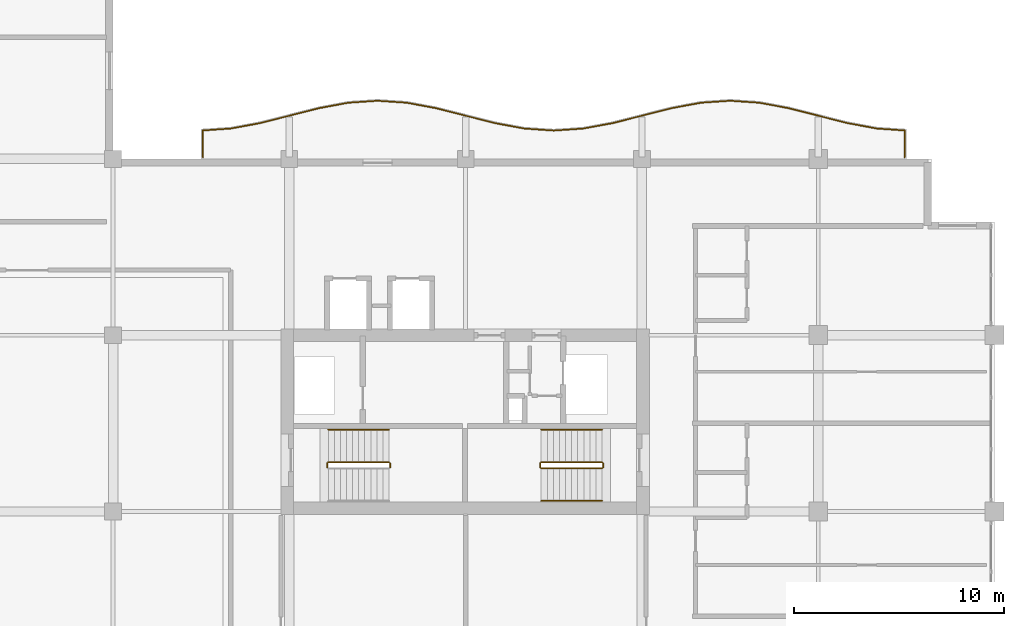
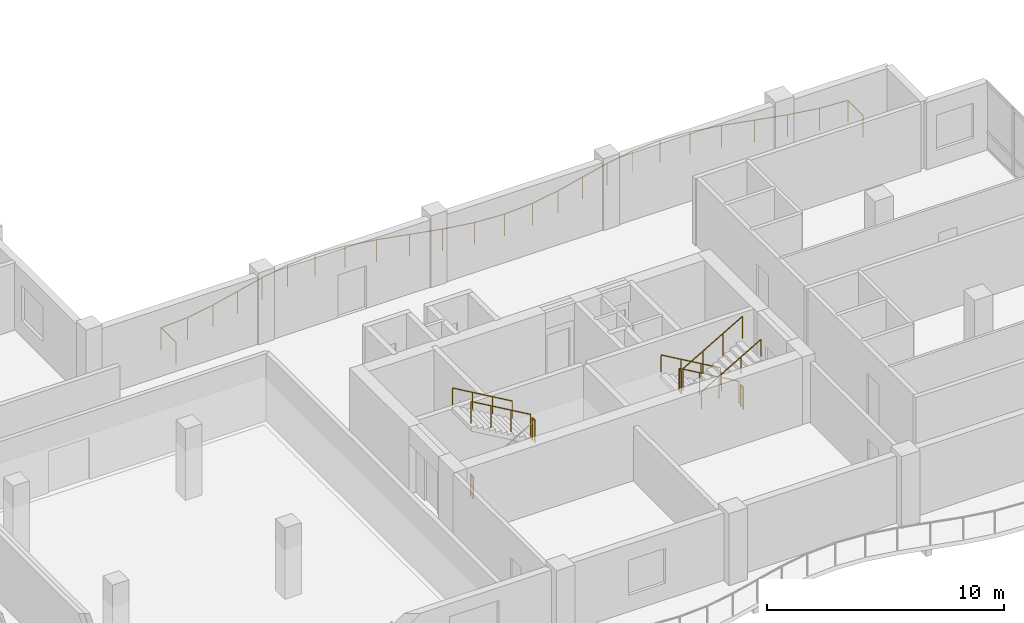
# One storey, part 14 of 16: 11 railings.
"""IFC4 building model written with IfcOpenShell, lengths in metres."""

from ifc_helpers import new_model, si_unit, direction, frame, origin, origin_2d, place, context, subcontext, project, spatial, circle, extrude, material, type_object, element, save


model = new_model("IFC4")

# Units and contexts
model_context = context("Model", 3, precision=1e-05, world=origin(), true_north=direction((0.0, 1.0)))
body_context = subcontext(model_context, "Body", "Model", "MODEL_VIEW")
ifc_project = project(units=[si_unit("LENGTHUNIT", "METRE"), si_unit("AREAUNIT", "SQUARE_METRE"), si_unit("VOLUMEUNIT", "CUBIC_METRE"), si_unit("PLANEANGLEUNIT", "RADIAN"), si_unit("MASSUNIT", "GRAM", prefix="KILO")], contexts=[model_context])

# Site, building, storey
site_placement = place(None, origin())
site = spatial("IfcSite", under=ifc_project, at=site_placement, CompositionType="ELEMENT")
building_placement = place(site_placement, origin())
building = spatial("IfcBuilding", under=site, at=building_placement, Name="Koriwani Terraces Tower", CompositionType="ELEMENT")
storey_placement = place(building_placement, frame((0.0, 0.0, 274.89990234375)))
storey = spatial("IfcBuildingStorey", under=building, at=storey_placement, Name="L68", CompositionType="ELEMENT", Elevation=274.89990234375)

# Railings
ifc_material = material(Name="Steel ASTM A572 Grade 50", Category="steel")
railing_type_1 = type_object("IfcRailingType", Name="GUARD_BALUSTRADE_1150", PredefinedType="BALUSTRADE", material=ifc_material)
railing_1_placement = place(storey_placement, frame((71.320068359375, 33.679931640625, 0.0)))
element("IfcRailing", 1, at=railing_1_placement, inside=storey, type_object=railing_type_1, Name="L68 Balcony Perimeter Safety Balustrade (NE)", PredefinedType="BALUSTRADE", context=body_context, shape_type="SweptSolid", body=[
    extrude(circle(Radius=0.02392578125, at=origin_2d()), frame((0.0, 0.0, 1.1259765625), z_axis=(0.0, 1.0, 0.0), x_axis=(-1.0, 0.0, 0.0)), (0.0, 0.0, 1.0), 1.275146484375),
    extrude(circle(Radius=0.02392578125, at=origin_2d()), frame((0.0, 1.275146484375, 1.1259765625), z_axis=(-0.997676908726, 0.068123313151, 0.0), x_axis=(-0.068123313151, -0.997676908726, 0.0)), (0.0, 0.0, 1.0), 1.333251953125),
    extrude(circle(Radius=0.02392578125, at=origin_2d()), frame((-1.330078125, 1.365966796875, 1.1259765625), z_axis=(-0.983227655562, 0.182382502828, 0.0), x_axis=(-0.182382502828, -0.983227655562, 0.0)), (0.0, 0.0, 1.0), 1.430908203125),
    extrude(circle(Radius=0.02392578125, at=origin_2d()), frame((-2.737060546875, 1.626953125, 1.1259765625), z_axis=(-0.969331819617, 0.245755617389, 0.0), x_axis=(-0.245755617389, -0.969331819617, 0.0)), (0.0, 0.0, 1.0), 2.888916015625),
    extrude(circle(Radius=0.02392578125, at=origin_2d()), frame((-5.537353515625, 2.3369140625, 1.1259765625), z_axis=(-0.98320420208, 0.182508895706, 0.0), x_axis=(-0.182508895706, -0.98320420208, 0.0)), (0.0, 0.0, 1.0), 1.41650390625),
    extrude(circle(Radius=0.02392578125, at=origin_2d()), frame((-6.93017578125, 2.595458984375, 1.1259765625), z_axis=(-0.997697457915, 0.067821696155, 0.0), x_axis=(-0.067821696155, -0.997697457915, 0.0)), (0.0, 0.0, 1.0), 1.39306640625),
    extrude(circle(Radius=0.02392578125, at=origin_2d()), frame((-8.320068359375, 2.68994140625, 1.1259765625), z_axis=(-0.997697457915, -0.067821696155, 0.0), x_axis=(0.067821696155, -0.997697457915, 0.0)), (0.0, 0.0, 1.0), 1.39306640625),
    extrude(circle(Radius=0.02392578125, at=origin_2d()), frame((-9.7099609375, 2.595458984375, 1.1259765625), z_axis=(-0.98320420208, -0.182508895706, 0.0), x_axis=(0.182508895706, -0.98320420208, 0.0)), (0.0, 0.0, 1.0), 1.41650390625),
    extrude(circle(Radius=0.02392578125, at=origin_2d()), frame((-11.102783203125, 2.3369140625, 1.1259765625), z_axis=(-0.969331819617, -0.245755617389, 0.0), x_axis=(0.245755617389, -0.969331819617, 0.0)), (0.0, 0.0, 1.0), 2.888916015625),
    extrude(circle(Radius=0.02392578125, at=origin_2d()), frame((-13.903076171875, 1.626953125, 1.1259765625), z_axis=(-0.983227655562, -0.182382502828, 0.0), x_axis=(0.182382502828, -0.983227655562, 0.0)), (0.0, 0.0, 1.0), 1.430908203125),
    extrude(circle(Radius=0.02392578125, at=origin_2d()), frame((-15.31005859375, 1.365966796875, 1.1259765625), z_axis=(-0.997704165633, -0.067722949425, 0.0), x_axis=(0.067722949425, -0.997704165633, 0.0)), (0.0, 0.0, 1.0), 1.4130859375),
    extrude(circle(Radius=0.02392578125, at=origin_2d()), frame((-16.719970703125, 1.270263671875, 1.1259765625), z_axis=(-0.997704957786, 0.067711278299, 0.0), x_axis=(-0.067711278299, -0.997704957786, 0.0)), (0.0, 0.0, 1.0), 1.413330078125),
    extrude(circle(Radius=0.02392578125, at=origin_2d()), frame((-18.130126953125, 1.365966796875, 1.1259765625), z_axis=(-0.983227655562, 0.182382502828, 0.0), x_axis=(-0.182382502828, -0.983227655562, 0.0)), (0.0, 0.0, 1.0), 1.430908203125),
    extrude(circle(Radius=0.02392578125, at=origin_2d()), frame((-19.537109375, 1.626953125, 1.1259765625), z_axis=(-0.969326714928, 0.245775750895, 0.0), x_axis=(-0.245775750895, -0.969326714928, 0.0)), (0.0, 0.0, 1.0), 2.888671875),
    extrude(circle(Radius=0.02392578125, at=origin_2d()), frame((-22.337158203125, 2.3369140625, 1.1259765625), z_axis=(-0.98320420208, 0.182508895706, 0.0), x_axis=(-0.182508895706, -0.98320420208, 0.0)), (0.0, 0.0, 1.0), 1.41650390625),
    extrude(circle(Radius=0.02392578125, at=origin_2d()), frame((-23.72998046875, 2.595458984375, 1.1259765625), z_axis=(-0.997698263815, 0.067809839848, 0.0), x_axis=(-0.067809839848, -0.997698263815, 0.0)), (0.0, 0.0, 1.0), 1.393310546875),
    extrude(circle(Radius=0.02392578125, at=origin_2d()), frame((-25.1201171875, 2.68994140625, 1.1259765625), z_axis=(-0.997697457915, -0.067821696155, 0.0), x_axis=(0.067821696155, -0.997697457915, 0.0)), (0.0, 0.0, 1.0), 1.39306640625),
    extrude(circle(Radius=0.02392578125, at=origin_2d()), frame((-26.510009765625, 2.595458984375, 1.1259765625), z_axis=(-0.98320420208, -0.182508895706, 0.0), x_axis=(0.182508895706, -0.98320420208, 0.0)), (0.0, 0.0, 1.0), 1.41650390625),
    extrude(circle(Radius=0.02392578125, at=origin_2d()), frame((-27.90283203125, 2.3369140625, 1.1259765625), z_axis=(-0.969326714928, -0.245775750895, 0.0), x_axis=(0.245775750895, -0.969326714928, 0.0)), (0.0, 0.0, 1.0), 2.888671875),
    extrude(circle(Radius=0.02392578125, at=origin_2d()), frame((-30.702880859375, 1.626953125, 1.1259765625), z_axis=(-0.983233329212, -0.182351913416, 0.0), x_axis=(0.182351913416, -0.983233329212, 0.0)), (0.0, 0.0, 1.0), 1.43115234375),
    extrude(circle(Radius=0.02392578125, at=origin_2d()), frame((-32.110107421875, 1.365966796875, 1.1259765625), z_axis=(-0.997676908726, -0.068123313151, 0.0), x_axis=(0.068123313151, -0.997676908726, 0.0)), (0.0, 0.0, 1.0), 1.333251953125),
    extrude(circle(Radius=0.02392578125, at=origin_2d()), frame((-33.440185546875, 1.275146484375, 1.1259765625), z_axis=(0.0, -1.0, 0.0), x_axis=(1.0, 0.0, 0.0)), (0.0, 0.0, 1.0), 1.275146484375),
    extrude(circle(Radius=0.02099609375, at=origin_2d()), origin(), (0.0, 0.0, 1.0), 1.101806640625),
    extrude(circle(Radius=0.02099609375, at=origin_2d()), frame((0.0, 1.275146484375, 0.0)), (0.0, 0.0, 1.0), 1.101806640625),
    extrude(circle(Radius=0.02099609375, at=origin_2d()), frame((-1.330078125, 1.365966796875, 0.0)), (0.0, 0.0, 1.0), 1.101806640625),
    extrude(circle(Radius=0.02099609375, at=origin_2d()), frame((-2.737060546875, 1.626953125, 0.0)), (0.0, 0.0, 1.0), 1.101806640625),
    extrude(circle(Radius=0.02099609375, at=origin_2d()), frame((-4.13720703125, 1.98193359375, 0.0)), (0.0, 0.0, 1.0), 1.101806640625),
    extrude(circle(Radius=0.02099609375, at=origin_2d()), frame((-5.537353515625, 2.3369140625, 0.0)), (0.0, 0.0, 1.0), 1.101806640625),
    extrude(circle(Radius=0.02099609375, at=origin_2d()), frame((-6.93017578125, 2.595458984375, 0.0)), (0.0, 0.0, 1.0), 1.101806640625),
    extrude(circle(Radius=0.02099609375, at=origin_2d()), frame((-8.320068359375, 2.68994140625, 0.0)), (0.0, 0.0, 1.0), 1.101806640625),
    extrude(circle(Radius=0.02099609375, at=origin_2d()), frame((-9.7099609375, 2.595458984375, 0.0)), (0.0, 0.0, 1.0), 1.101806640625),
    extrude(circle(Radius=0.02099609375, at=origin_2d()), frame((-11.102783203125, 2.3369140625, 0.0)), (0.0, 0.0, 1.0), 1.101806640625),
    extrude(circle(Radius=0.02099609375, at=origin_2d()), frame((-12.5029296875, 1.98193359375, 0.0)), (0.0, 0.0, 1.0), 1.101806640625),
    extrude(circle(Radius=0.02099609375, at=origin_2d()), frame((-13.903076171875, 1.626953125, 0.0)), (0.0, 0.0, 1.0), 1.101806640625),
    extrude(circle(Radius=0.02099609375, at=origin_2d()), frame((-15.31005859375, 1.365966796875, 0.0)), (0.0, 0.0, 1.0), 1.101806640625),
    extrude(circle(Radius=0.02099609375, at=origin_2d()), frame((-16.719970703125, 1.270263671875, 0.0)), (0.0, 0.0, 1.0), 1.101806640625),
    extrude(circle(Radius=0.02099609375, at=origin_2d()), frame((-18.130126953125, 1.365966796875, 0.0)), (0.0, 0.0, 1.0), 1.101806640625),
    extrude(circle(Radius=0.02099609375, at=origin_2d()), frame((-19.537109375, 1.626953125, 0.0)), (0.0, 0.0, 1.0), 1.101806640625),
    extrude(circle(Radius=0.02099609375, at=origin_2d()), frame((-20.93701171875, 1.98193359375, 0.0)), (0.0, 0.0, 1.0), 1.101806640625),
    extrude(circle(Radius=0.02099609375, at=origin_2d()), frame((-22.337158203125, 2.3369140625, 0.0)), (0.0, 0.0, 1.0), 1.101806640625),
    extrude(circle(Radius=0.02099609375, at=origin_2d()), frame((-23.72998046875, 2.595458984375, 0.0)), (0.0, 0.0, 1.0), 1.101806640625),
    extrude(circle(Radius=0.02099609375, at=origin_2d()), frame((-25.1201171875, 2.68994140625, 0.0)), (0.0, 0.0, 1.0), 1.101806640625),
    extrude(circle(Radius=0.02099609375, at=origin_2d()), frame((-26.510009765625, 2.595458984375, 0.0)), (0.0, 0.0, 1.0), 1.101806640625),
    extrude(circle(Radius=0.02099609375, at=origin_2d()), frame((-27.90283203125, 2.3369140625, 0.0)), (0.0, 0.0, 1.0), 1.101806640625),
    extrude(circle(Radius=0.02099609375, at=origin_2d()), frame((-29.302734375, 1.98193359375, 0.0)), (0.0, 0.0, 1.0), 1.101806640625),
    extrude(circle(Radius=0.02099609375, at=origin_2d()), frame((-30.702880859375, 1.626953125, 0.0)), (0.0, 0.0, 1.0), 1.101806640625),
    extrude(circle(Radius=0.02099609375, at=origin_2d()), frame((-32.110107421875, 1.365966796875, 0.0)), (0.0, 0.0, 1.0), 1.101806640625),
    extrude(circle(Radius=0.02099609375, at=origin_2d()), frame((-33.440185546875, 1.275146484375, 0.0)), (0.0, 0.0, 1.0), 1.101806640625),
    extrude(circle(Radius=0.02099609375, at=origin_2d()), frame((-33.440185546875, 0.0, 0.0)), (0.0, 0.0, 1.0), 1.101806640625),
])
railing_type_2 = type_object("IfcRailingType", Name="GUARD_STAIR_WELL_1120", PredefinedType="GUARDRAIL", material=ifc_material)
railing_2_placement = place(storey_placement, frame((46.800048828125, 18.89990234375, 1.85009765625)))
element("IfcRailing", 2, at=railing_2_placement, inside=storey, type_object=railing_type_2, Name="L68 ST-E1 stair guard 2", PredefinedType="GUARDRAIL", context=body_context, shape_type="SweptSolid", body=[
    extrude(circle(Radius=0.02392578125, at=origin_2d()), frame((0.0, 0.0, 1.1259765625), z_axis=(0.0, 1.0, 0.0), x_axis=(-1.0, 0.0, 0.0)), (0.0, 0.0, 1.0), 0.2001953125),
    extrude(circle(Radius=0.02099609375, at=origin_2d()), origin(), (0.0, 0.0, 1.0), 1.101806640625),
    extrude(circle(Radius=0.02099609375, at=origin_2d()), frame((0.0, 0.2001953125, 0.0)), (0.0, 0.0, 1.0), 1.101806640625),
])
railing_3_placement = place(storey_placement, frame((46.75, 19.14990234375, 2.018310546875)))
element("IfcRailing", 3, at=railing_3_placement, inside=storey, type_object=railing_type_2, Name="L68 ST-E1 stair guard 3", PredefinedType="GUARDRAIL", context=body_context, shape_type="SweptSolid", body=[
    extrude(circle(Radius=0.02392578125, at=origin_2d()), frame((0.0, 0.0, 1.1259765625), z_axis=(-0.865038774852, 0.0, 0.501705010941), x_axis=(0.0, -1.0, 0.0)), (0.0, 0.0, 1.0), 3.352294921875),
    extrude(circle(Radius=0.02099609375, at=origin_2d()), origin(), (0.0, 0.0, 1.0), 1.101806640625),
    extrude(circle(Radius=0.02099609375, at=origin_2d()), frame((-0.966552734375, 0.0, 0.560546875)), (0.0, 0.0, 1.0), 1.101806640625),
    extrude(circle(Radius=0.02099609375, at=origin_2d()), frame((-1.933349609375, 0.0, 1.121337890625)), (0.0, 0.0, 1.0), 1.101806640625),
    extrude(circle(Radius=0.02099609375, at=origin_2d()), frame((-2.89990234375, 0.0, 1.681884765625)), (0.0, 0.0, 1.0), 1.101806640625),
])
railing_4_placement = place(storey_placement, frame((43.800048828125, 18.89990234375, 0.0)))
element("IfcRailing", 4, at=railing_4_placement, inside=storey, type_object=railing_type_2, Name="L68 ST-E1 stair guard 4", PredefinedType="GUARDRAIL", context=body_context, shape_type="SweptSolid", body=[
    extrude(circle(Radius=0.02392578125, at=origin_2d()), frame((0.0, 0.0, 1.1259765625), z_axis=(0.0, 1.0, 0.0), x_axis=(-1.0, 0.0, 0.0)), (0.0, 0.0, 1.0), 0.2001953125),
    extrude(circle(Radius=0.02099609375, at=origin_2d()), origin(), (0.0, 0.0, 1.0), 1.101806640625),
    extrude(circle(Radius=0.02099609375, at=origin_2d()), frame((0.0, 0.2001953125, 0.0)), (0.0, 0.0, 1.0), 1.101806640625),
])
railing_5_placement = place(storey_placement, frame((56.89990234375, 19.14990234375, 0.168212890625)))
element("IfcRailing", 5, at=railing_5_placement, inside=storey, type_object=railing_type_2, Name="L68 ST-E2 stair guard 1", PredefinedType="GUARDRAIL", context=body_context, shape_type="SweptSolid", body=[
    extrude(circle(Radius=0.02392578125, at=origin_2d()), frame((0.0, 0.0, 1.1259765625), z_axis=(-0.865038774852, 0.0, 0.501705010941), x_axis=(0.0, -1.0, 0.0)), (0.0, 0.0, 1.0), 3.352294921875),
    extrude(circle(Radius=0.02099609375, at=origin_2d()), origin(), (0.0, 0.0, 1.0), 1.101806640625),
    extrude(circle(Radius=0.02099609375, at=origin_2d()), frame((-0.966552734375, 0.0, 0.560546875)), (0.0, 0.0, 1.0), 1.101806640625),
    extrude(circle(Radius=0.02099609375, at=origin_2d()), frame((-1.933349609375, 0.0, 1.121337890625)), (0.0, 0.0, 1.0), 1.101806640625),
    extrude(circle(Radius=0.02099609375, at=origin_2d()), frame((-2.89990234375, 0.0, 1.681884765625)), (0.0, 0.0, 1.0), 1.101806640625),
])
railing_6_placement = place(storey_placement, frame((53.949951171875, 19.10009765625, 1.85009765625)))
element("IfcRailing", 6, at=railing_6_placement, inside=storey, type_object=railing_type_2, Name="L68 ST-E2 stair guard 2", PredefinedType="GUARDRAIL", context=body_context, shape_type="SweptSolid", body=[
    extrude(circle(Radius=0.02392578125, at=origin_2d()), frame((0.0, 0.0, 1.1259765625), z_axis=(0.0, -1.0, 0.0), x_axis=(1.0, 0.0, 0.0)), (0.0, 0.0, 1.0), 0.2001953125),
    extrude(circle(Radius=0.02099609375, at=origin_2d()), origin(), (0.0, 0.0, 1.0), 1.101806640625),
    extrude(circle(Radius=0.02099609375, at=origin_2d()), frame((0.0, -0.2001953125, 0.0)), (0.0, 0.0, 1.0), 1.101806640625),
])
railing_7_placement = place(storey_placement, frame((54.0, 18.85009765625, 2.018310546875)))
element("IfcRailing", 7, at=railing_7_placement, inside=storey, type_object=railing_type_2, Name="L68 ST-E2 stair guard 3", PredefinedType="GUARDRAIL", context=body_context, shape_type="SweptSolid", body=[
    extrude(circle(Radius=0.02392578125, at=origin_2d()), frame((0.0, 0.0, 1.1259765625), z_axis=(0.865038774852, 0.0, 0.501705010941), x_axis=(0.0, 1.0, 0.0)), (0.0, 0.0, 1.0), 3.352294921875),
    extrude(circle(Radius=0.02099609375, at=origin_2d()), origin(), (0.0, 0.0, 1.0), 1.101806640625),
    extrude(circle(Radius=0.02099609375, at=origin_2d()), frame((0.966552734375, 0.0, 0.560546875)), (0.0, 0.0, 1.0), 1.101806640625),
    extrude(circle(Radius=0.02099609375, at=origin_2d()), frame((1.933349609375, 0.0, 1.121337890625)), (0.0, 0.0, 1.0), 1.101806640625),
    extrude(circle(Radius=0.02099609375, at=origin_2d()), frame((2.89990234375, 0.0, 1.681884765625)), (0.0, 0.0, 1.0), 1.101806640625),
])
railing_8_placement = place(storey_placement, frame((56.949951171875, 19.10009765625, 0.0)))
element("IfcRailing", 8, at=railing_8_placement, inside=storey, type_object=railing_type_2, Name="L68 ST-E2 stair guard 4", PredefinedType="GUARDRAIL", context=body_context, shape_type="SweptSolid", body=[
    extrude(circle(Radius=0.02392578125, at=origin_2d()), frame((0.0, 0.0, 1.1259765625), z_axis=(0.0, -1.0, 0.0), x_axis=(1.0, 0.0, 0.0)), (0.0, 0.0, 1.0), 0.2001953125),
    extrude(circle(Radius=0.02099609375, at=origin_2d()), origin(), (0.0, 0.0, 1.0), 1.101806640625),
    extrude(circle(Radius=0.02099609375, at=origin_2d()), frame((0.0, -0.2001953125, 0.0)), (0.0, 0.0, 1.0), 1.101806640625),
])
railing_type_3 = type_object("IfcRailingType", Name="HANDRAIL_STAIR_920", PredefinedType="HANDRAIL", material=ifc_material)
for number, where, name in (
    (9, (46.75, 20.699951171875, 2.018310546875), "L68 ST-E1 stair handrail 2"),
    (10, (56.89990234375, 20.699951171875, 0.168212890625), "L68 ST-E2 stair handrail 1"),
):
    element("IfcRailing", number, at=place(storey_placement, frame(where)), inside=storey, type_object=railing_type_3, Name=name, PredefinedType="HANDRAIL", context=body_context, shape_type="SweptSolid", body=[
        extrude(circle(Radius=0.02392578125, at=origin_2d()), frame((0.0, 0.0, 0.8759765625), z_axis=(-0.865038774852, 0.0, 0.501705010941), x_axis=(0.0, -1.0, 0.0)), (0.0, 0.0, 1.0), 3.352294921875),
        extrude(circle(Radius=0.02099609375, at=origin_2d()), origin(), (0.0, 0.0, 1.0), 0.851806640625),
        extrude(circle(Radius=0.02099609375, at=origin_2d()), frame((-0.966552734375, 0.0, 0.560546875)), (0.0, 0.0, 1.0), 0.851806640625),
        extrude(circle(Radius=0.02099609375, at=origin_2d()), frame((-1.933349609375, 0.0, 1.121337890625)), (0.0, 0.0, 1.0), 0.851806640625),
        extrude(circle(Radius=0.02099609375, at=origin_2d()), frame((-2.89990234375, 0.0, 1.681884765625)), (0.0, 0.0, 1.0), 0.851806640625),
    ])
railing_9_placement = place(storey_placement, frame((54.0, 17.300048828125, 2.018310546875)))
element("IfcRailing", 11, at=railing_9_placement, inside=storey, type_object=railing_type_3, Name="L68 ST-E2 stair handrail 2", PredefinedType="HANDRAIL", context=body_context, shape_type="SweptSolid", body=[
    extrude(circle(Radius=0.02392578125, at=origin_2d()), frame((0.0, 0.0, 0.8759765625), z_axis=(0.865038774852, 0.0, 0.501705010941), x_axis=(0.0, 1.0, 0.0)), (0.0, 0.0, 1.0), 3.352294921875),
    extrude(circle(Radius=0.02099609375, at=origin_2d()), origin(), (0.0, 0.0, 1.0), 0.851806640625),
    extrude(circle(Radius=0.02099609375, at=origin_2d()), frame((0.966552734375, 0.0, 0.560546875)), (0.0, 0.0, 1.0), 0.851806640625),
    extrude(circle(Radius=0.02099609375, at=origin_2d()), frame((1.933349609375, 0.0, 1.121337890625)), (0.0, 0.0, 1.0), 0.851806640625),
    extrude(circle(Radius=0.02099609375, at=origin_2d()), frame((2.89990234375, 0.0, 1.681884765625)), (0.0, 0.0, 1.0), 0.851806640625),
])

save(model, "model.ifc")
